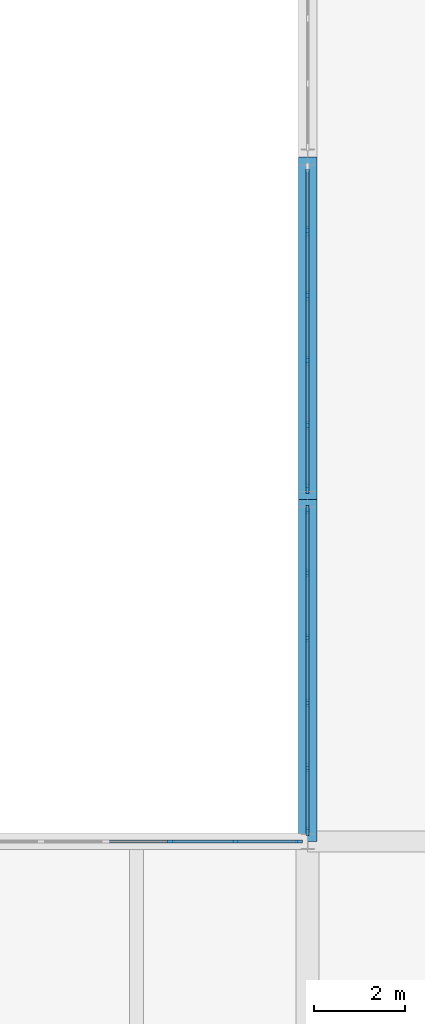
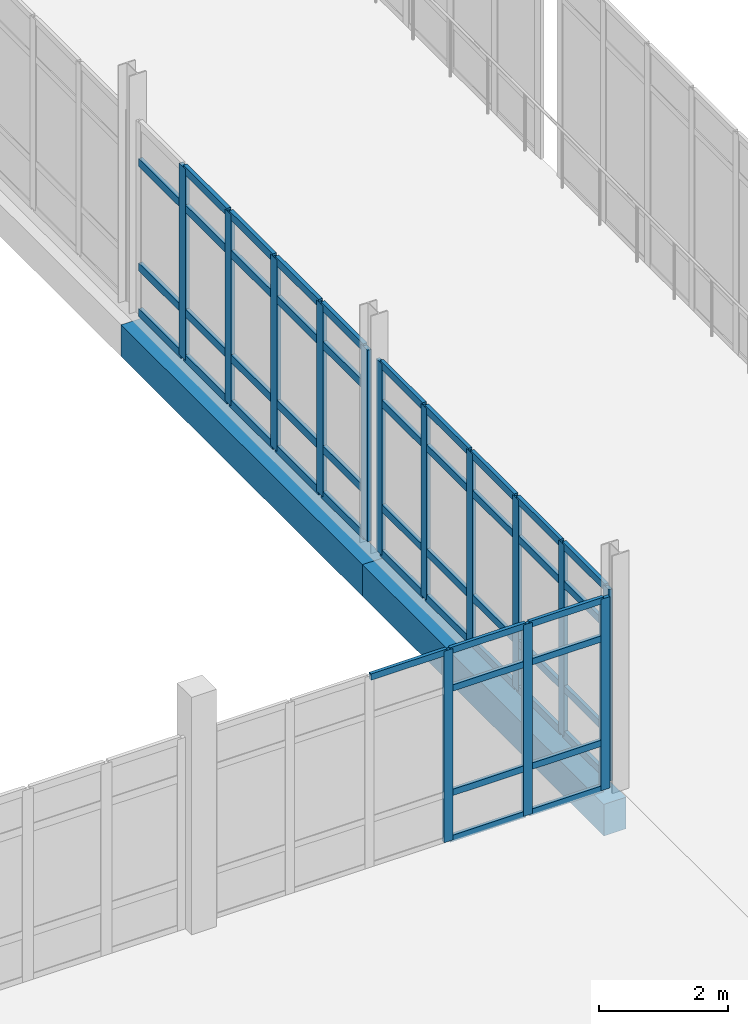
# One storey, part 23 of 128: 62 members, 2 beams, 3 elements without a shape of their own.
"""IFC4 building model written with IfcOpenShell, lengths in metres."""

from ifc_helpers import new_model, si_unit, direction, frame, origin, origin_2d, place, context, subcontext, project, spatial, rectangle, extrude, material, layer, layer_set, material_profile, profile_set, type_object, element, aggregate, save


model = new_model("IFC4")

# Units and contexts
model_context = context("Model", 3, precision=1e-05, world=origin(), true_north=direction((0.0, 1.0)))
body_context = subcontext(model_context, "Body", "Model", "MODEL_VIEW")
ifc_project = project(units=[si_unit("LENGTHUNIT", "METRE"), si_unit("AREAUNIT", "SQUARE_METRE"), si_unit("VOLUMEUNIT", "CUBIC_METRE"), si_unit("PLANEANGLEUNIT", "RADIAN"), si_unit("MASSUNIT", "GRAM", prefix="KILO")], contexts=[model_context])

# Site, building, storey
site_placement = place(None, origin())
site = spatial("IfcSite", under=ifc_project, at=site_placement, CompositionType="ELEMENT")
building_placement = place(site_placement, origin())
building = spatial("IfcBuilding", under=site, at=building_placement, Name="Dalvernix Boulevard General Hospital", CompositionType="ELEMENT")
storey_placement = place(building_placement, frame((0.0, 0.0, 4.800048828125)))
storey = spatial("IfcBuildingStorey", under=building, at=storey_placement, Name="L01", CompositionType="ELEMENT", Elevation=4.800048828125)

# Beams
ifc_material_1 = material(Name="Concrete C35/45", Category="concrete")
ifc_material_profile_1 = material_profile(ifc_material_1, rectangle(XDim=0.39990234375, YDim=0.60009765625, at=origin_2d()), Name="RCB 400x600")
ifc_profile_set_1 = profile_set([ifc_material_profile_1], Name="Concrete C35/45")
beam_type = type_object("IfcBeamType", Name="BM-SB-02-E", PredefinedType="SPANDREL", material=ifc_profile_set_1)
for number, where, z_axis, x_axis, name in (
    (1, (60.0, 31.5, -0.60009765625), (0.0, 1.0, 0.0), (-1.0, 0.0, 0.0), "L01 N-S girder 9:E-F"),
    (2, (60.0, 39.0, -0.60009765625), (0.0, 1.0, 0.0), (-1.0, 0.0, 0.0), "L01 N-S girder 9:F-G"),
):
    element("IfcBeam", number, at=place(storey_placement, frame(where, z_axis=z_axis, x_axis=x_axis)), inside=storey, type_object=beam_type, Name=name, PredefinedType="SPANDREL", context=body_context, shape_type="SweptSolid", body=[
        extrude(rectangle(XDim=0.39990234375, YDim=0.60009765625, at=origin_2d()), origin(), (0.0, 0.0, 1.0), 7.5),
    ])

# Curtain wall, members
ifc_material_2 = material(Name="Thermally broken aluminium and solar-control glass curtain wall", Category="aluminium")
ifc_layer_1 = layer(ifc_material_2, 0.159912109375)
ifc_layer_set_1 = layer_set([ifc_layer_1], Name="Thermally broken aluminium and solar-control glass curtain wall (CW-CW-A-71x36)")
curtain_wall_type_1 = type_object("IfcCurtainWallType", Name="CW-CW-A-71x36", PredefinedType="USERDEFINED", material=ifc_layer_set_1)
curtain_wall_1_placement = place(storey_placement, origin())
curtain_wall_1 = element("IfcCurtainWall", 3, at=curtain_wall_1_placement, inside=storey, type_object=curtain_wall_type_1, Name="L01 curtain wall CW-A-71x36 7-4", ObjectType="GLAZED FACADE", PredefinedType="USERDEFINED")
ifc_material_3 = material(Name="Aluminium EN AW-6060", Category="aluminium")
ifc_material_profile_2 = material_profile(ifc_material_3, rectangle(XDim=0.06005859375, YDim=0.159912109375, at=origin_2d()), Name="ALU MULL 60x160")
ifc_profile_set_2 = profile_set([ifc_material_profile_2], Name="Aluminium EN AW-6060")
member_type_1 = type_object("IfcMemberType", Name="MEM-CW-M1", PredefinedType="MULLION", material=ifc_profile_set_2)
member_1_placement = place(storey_placement, frame((56.998046875, 31.5, 0.0), z_axis=(0.0, 0.0, 1.0), x_axis=(0.0, 1.0, 0.0)))
member_1 = element("IfcMember", 4, at=member_1_placement, type_object=member_type_1, Name="CW-A-71x36 mullion 4", PredefinedType="MULLION", context=body_context, shape_type="SweptSolid", body=[
    extrude(rectangle(XDim=0.06005859375, YDim=0.159912109375, at=origin_2d()), origin(), (0.0, 0.0, 1.0), 3.6298828125),
])
member_2_placement = place(storey_placement, frame((58.4189453125, 31.5, 0.0), z_axis=(0.0, 0.0, 1.0), x_axis=(0.0, 1.0, 0.0)))
member_2 = element("IfcMember", 5, at=member_2_placement, type_object=member_type_1, Name="CW-A-71x36 mullion 5", PredefinedType="MULLION", context=body_context, shape_type="SweptSolid", body=[
    extrude(rectangle(XDim=0.06005859375, YDim=0.159912109375, at=origin_2d()), origin(), (0.0, 0.0, 1.0), 3.6298828125),
])
member_3_placement = place(storey_placement, frame((59.81005859375, 31.5, 0.0), z_axis=(0.0, 0.0, 1.0), x_axis=(0.0, 1.0, 0.0)))
member_3 = element("IfcMember", 6, at=member_3_placement, type_object=member_type_1, Name="CW-A-71x36 mullion 6", PredefinedType="MULLION", context=body_context, shape_type="SweptSolid", body=[
    extrude(rectangle(XDim=0.06005859375, YDim=0.159912109375, at=origin_2d()), origin(), (0.0, 0.0, 1.0), 3.6298828125),
])

ifc_layer_2 = layer(ifc_material_2, 0.179931640625)
ifc_layer_set_2 = layer_set([ifc_layer_2], Name="Thermally broken aluminium and solar-control glass curtain wall (CW-CW-B-71x36)")
curtain_wall_type_2 = type_object("IfcCurtainWallType", Name="CW-CW-B-71x36", PredefinedType="USERDEFINED", material=ifc_layer_set_2)
curtain_wall_2_placement = place(storey_placement, origin())
curtain_wall_2 = element("IfcCurtainWall", 7, at=curtain_wall_2_placement, inside=storey, type_object=curtain_wall_type_2, Name="L01 curtain wall CW-B-71x36 8-4", ObjectType="GLAZED FACADE", PredefinedType="USERDEFINED")
ifc_material_profile_3 = material_profile(ifc_material_3, rectangle(XDim=0.06494140625, YDim=0.179931640625, at=origin_2d()), Name="ALU MULL 65x180")
ifc_profile_set_3 = profile_set([ifc_material_profile_3], Name="Aluminium EN AW-6060")
member_type_2 = type_object("IfcMemberType", Name="MEM-CW-M2", PredefinedType="MULLION", material=ifc_profile_set_3)
member_4_placement = place(storey_placement, frame((60.0, 31.722412109375, 0.0), z_axis=(0.0, 0.0, 1.0), x_axis=(-1.0, 0.0, 0.0)))
member_4 = element("IfcMember", 8, at=member_4_placement, type_object=member_type_2, Name="CW-B-71x36 mullion 1", PredefinedType="MULLION", context=body_context, shape_type="SweptSolid", body=[
    extrude(rectangle(XDim=0.06494140625, YDim=0.179931640625, at=origin_2d()), origin(), (0.0, 0.0, 1.0), 3.6298828125),
])
member_5_placement = place(storey_placement, frame((60.0, 33.114013671875, 0.0), z_axis=(0.0, 0.0, 1.0), x_axis=(-1.0, 0.0, 0.0)))
member_5 = element("IfcMember", 9, at=member_5_placement, type_object=member_type_2, Name="CW-B-71x36 mullion 2", PredefinedType="MULLION", context=body_context, shape_type="SweptSolid", body=[
    extrude(rectangle(XDim=0.06494140625, YDim=0.179931640625, at=origin_2d()), origin(), (0.0, 0.0, 1.0), 3.6298828125),
])
member_6_placement = place(storey_placement, frame((60.0, 34.5380859375, 0.0), z_axis=(0.0, 0.0, 1.0), x_axis=(-1.0, 0.0, 0.0)))
member_6 = element("IfcMember", 10, at=member_6_placement, type_object=member_type_2, Name="CW-B-71x36 mullion 3", PredefinedType="MULLION", context=body_context, shape_type="SweptSolid", body=[
    extrude(rectangle(XDim=0.06494140625, YDim=0.179931640625, at=origin_2d()), origin(), (0.0, 0.0, 1.0), 3.6298828125),
])
member_7_placement = place(storey_placement, frame((60.0, 35.9619140625, 0.0), z_axis=(0.0, 0.0, 1.0), x_axis=(-1.0, 0.0, 0.0)))
member_7 = element("IfcMember", 11, at=member_7_placement, type_object=member_type_2, Name="CW-B-71x36 mullion 4", PredefinedType="MULLION", context=body_context, shape_type="SweptSolid", body=[
    extrude(rectangle(XDim=0.06494140625, YDim=0.179931640625, at=origin_2d()), origin(), (0.0, 0.0, 1.0), 3.6298828125),
])
member_8_placement = place(storey_placement, frame((60.0, 37.385986328125, 0.0), z_axis=(0.0, 0.0, 1.0), x_axis=(-1.0, 0.0, 0.0)))
member_8 = element("IfcMember", 12, at=member_8_placement, type_object=member_type_2, Name="CW-B-71x36 mullion 5", PredefinedType="MULLION", context=body_context, shape_type="SweptSolid", body=[
    extrude(rectangle(XDim=0.06494140625, YDim=0.179931640625, at=origin_2d()), origin(), (0.0, 0.0, 1.0), 3.6298828125),
])
member_9_placement = place(storey_placement, frame((60.0, 38.777587890625, 0.0), z_axis=(0.0, 0.0, 1.0), x_axis=(-1.0, 0.0, 0.0)))
member_9 = element("IfcMember", 13, at=member_9_placement, type_object=member_type_2, Name="CW-B-71x36 mullion 6", PredefinedType="MULLION", context=body_context, shape_type="SweptSolid", body=[
    extrude(rectangle(XDim=0.06494140625, YDim=0.179931640625, at=origin_2d()), origin(), (0.0, 0.0, 1.0), 3.6298828125),
])

ifc_layer_3 = layer(ifc_material_2, 0.199951171875)
ifc_layer_set_3 = layer_set([ifc_layer_3], Name="Thermally broken aluminium and solar-control glass curtain wall (CW-CW-C-71x36)")
curtain_wall_type_3 = type_object("IfcCurtainWallType", Name="CW-CW-C-71x36", PredefinedType="USERDEFINED", material=ifc_layer_set_3)
curtain_wall_3_placement = place(storey_placement, origin())
curtain_wall_3 = element("IfcCurtainWall", 14, at=curtain_wall_3_placement, inside=storey, type_object=curtain_wall_type_3, Name="L01 curtain wall CW-C-71x36 8-5", ObjectType="GLAZED FACADE", PredefinedType="USERDEFINED")
ifc_material_profile_4 = material_profile(ifc_material_3, rectangle(XDim=0.070068359375, YDim=0.199951171875, at=origin_2d()), Name="ALU MULL 70x200")
ifc_profile_set_4 = profile_set([ifc_material_profile_4], Name="Aluminium EN AW-6060")
member_type_3 = type_object("IfcMemberType", Name="MEM-CW-M3", PredefinedType="MULLION", material=ifc_profile_set_4)
member_10_placement = place(storey_placement, frame((60.0, 39.22509765625, 0.0), z_axis=(0.0, 0.0, 1.0), x_axis=(-1.0, 0.0, 0.0)))
member_10 = element("IfcMember", 15, at=member_10_placement, type_object=member_type_3, Name="CW-C-71x36 mullion 1", PredefinedType="MULLION", context=body_context, shape_type="SweptSolid", body=[
    extrude(rectangle(XDim=0.070068359375, YDim=0.199951171875, at=origin_2d()), origin(), (0.0, 0.0, 1.0), 3.6298828125),
])
member_11_placement = place(storey_placement, frame((60.0, 40.614013671875, 0.0), z_axis=(0.0, 0.0, 1.0), x_axis=(-1.0, 0.0, 0.0)))
member_11 = element("IfcMember", 16, at=member_11_placement, type_object=member_type_3, Name="CW-C-71x36 mullion 2", PredefinedType="MULLION", context=body_context, shape_type="SweptSolid", body=[
    extrude(rectangle(XDim=0.070068359375, YDim=0.199951171875, at=origin_2d()), origin(), (0.0, 0.0, 1.0), 3.6298828125),
])
member_12_placement = place(storey_placement, frame((60.0, 42.0380859375, 0.0), z_axis=(0.0, 0.0, 1.0), x_axis=(-1.0, 0.0, 0.0)))
member_12 = element("IfcMember", 17, at=member_12_placement, type_object=member_type_3, Name="CW-C-71x36 mullion 3", PredefinedType="MULLION", context=body_context, shape_type="SweptSolid", body=[
    extrude(rectangle(XDim=0.070068359375, YDim=0.199951171875, at=origin_2d()), origin(), (0.0, 0.0, 1.0), 3.6298828125),
])
member_13_placement = place(storey_placement, frame((60.0, 43.4619140625, 0.0), z_axis=(0.0, 0.0, 1.0), x_axis=(-1.0, 0.0, 0.0)))
member_13 = element("IfcMember", 18, at=member_13_placement, type_object=member_type_3, Name="CW-C-71x36 mullion 4", PredefinedType="MULLION", context=body_context, shape_type="SweptSolid", body=[
    extrude(rectangle(XDim=0.070068359375, YDim=0.199951171875, at=origin_2d()), origin(), (0.0, 0.0, 1.0), 3.6298828125),
])
member_14_placement = place(storey_placement, frame((60.0, 44.885986328125, 0.0), z_axis=(0.0, 0.0, 1.0), x_axis=(-1.0, 0.0, 0.0)))
member_14 = element("IfcMember", 19, at=member_14_placement, type_object=member_type_3, Name="CW-C-71x36 mullion 5", PredefinedType="MULLION", context=body_context, shape_type="SweptSolid", body=[
    extrude(rectangle(XDim=0.070068359375, YDim=0.199951171875, at=origin_2d()), origin(), (0.0, 0.0, 1.0), 3.6298828125),
])

# Member
ifc_material_profile_5 = material_profile(ifc_material_3, rectangle(XDim=0.06005859375, YDim=0.1201171875, at=origin_2d()), Name="ALU TRAN 60x120")
ifc_profile_set_5 = profile_set([ifc_material_profile_5], Name="Aluminium EN AW-6060")
member_type_4 = type_object("IfcMemberType", Name="MEM-CW-T1", PredefinedType="USERDEFINED", material=ifc_profile_set_5)
member_15_placement = place(storey_placement, frame((55.60693359375, 31.5, 3.599853515625), z_axis=(1.0, 0.0, 0.0), x_axis=(0.0, 1.0, 0.0)))
member_15 = element("IfcMember", 20, at=member_15_placement, type_object=member_type_4, Name="CW-A-71x36 transom 3.4", ObjectType="TRANSOM", PredefinedType="USERDEFINED", context=body_context, shape_type="SweptSolid", body=[
    extrude(rectangle(XDim=0.06005859375, YDim=0.1201171875, at=origin_2d()), origin(), (0.0, 0.0, 1.0), 1.361083984375),
])

member_16_placement = place(storey_placement, frame((57.028076171875, 31.5, 0.030029296875), z_axis=(1.0, 0.0, 0.0), x_axis=(0.0, 1.0, 0.0)))
member_16 = element("IfcMember", 21, at=member_16_placement, type_object=member_type_4, Name="CW-A-71x36 transom 4.1", ObjectType="TRANSOM", PredefinedType="USERDEFINED", context=body_context, shape_type="SweptSolid", body=[
    extrude(rectangle(XDim=0.06005859375, YDim=0.1201171875, at=origin_2d()), origin(), (0.0, 0.0, 1.0), 1.36083984375),
])

member_17_placement = place(storey_placement, frame((57.028076171875, 31.5, 0.89990234375), z_axis=(1.0, 0.0, 0.0), x_axis=(0.0, 1.0, 0.0)))
member_17 = element("IfcMember", 22, at=member_17_placement, type_object=member_type_4, Name="CW-A-71x36 transom 4.2", ObjectType="TRANSOM", PredefinedType="USERDEFINED", context=body_context, shape_type="SweptSolid", body=[
    extrude(rectangle(XDim=0.06005859375, YDim=0.1201171875, at=origin_2d()), origin(), (0.0, 0.0, 1.0), 1.36083984375),
])

member_18_placement = place(storey_placement, frame((57.028076171875, 31.5, 2.8798828125), z_axis=(1.0, 0.0, 0.0), x_axis=(0.0, 1.0, 0.0)))
member_18 = element("IfcMember", 23, at=member_18_placement, type_object=member_type_4, Name="CW-A-71x36 transom 4.3", ObjectType="TRANSOM", PredefinedType="USERDEFINED", context=body_context, shape_type="SweptSolid", body=[
    extrude(rectangle(XDim=0.06005859375, YDim=0.1201171875, at=origin_2d()), origin(), (0.0, 0.0, 1.0), 1.36083984375),
])

member_19_placement = place(storey_placement, frame((57.028076171875, 31.5, 3.599853515625), z_axis=(1.0, 0.0, 0.0), x_axis=(0.0, 1.0, 0.0)))
member_19 = element("IfcMember", 24, at=member_19_placement, type_object=member_type_4, Name="CW-A-71x36 transom 4.4", ObjectType="TRANSOM", PredefinedType="USERDEFINED", context=body_context, shape_type="SweptSolid", body=[
    extrude(rectangle(XDim=0.06005859375, YDim=0.1201171875, at=origin_2d()), origin(), (0.0, 0.0, 1.0), 1.36083984375),
])

member_20_placement = place(storey_placement, frame((58.448974609375, 31.5, 0.030029296875), z_axis=(1.0, 0.0, 0.0), x_axis=(0.0, 1.0, 0.0)))
member_20 = element("IfcMember", 25, at=member_20_placement, type_object=member_type_4, Name="CW-A-71x36 transom 5.1", ObjectType="TRANSOM", PredefinedType="USERDEFINED", context=body_context, shape_type="SweptSolid", body=[
    extrude(rectangle(XDim=0.06005859375, YDim=0.1201171875, at=origin_2d()), origin(), (0.0, 0.0, 1.0), 1.3310546875),
])

member_21_placement = place(storey_placement, frame((58.448974609375, 31.5, 0.89990234375), z_axis=(1.0, 0.0, 0.0), x_axis=(0.0, 1.0, 0.0)))
member_21 = element("IfcMember", 26, at=member_21_placement, type_object=member_type_4, Name="CW-A-71x36 transom 5.2", ObjectType="TRANSOM", PredefinedType="USERDEFINED", context=body_context, shape_type="SweptSolid", body=[
    extrude(rectangle(XDim=0.06005859375, YDim=0.1201171875, at=origin_2d()), origin(), (0.0, 0.0, 1.0), 1.3310546875),
])

member_22_placement = place(storey_placement, frame((58.448974609375, 31.5, 2.8798828125), z_axis=(1.0, 0.0, 0.0), x_axis=(0.0, 1.0, 0.0)))
member_22 = element("IfcMember", 27, at=member_22_placement, type_object=member_type_4, Name="CW-A-71x36 transom 5.3", ObjectType="TRANSOM", PredefinedType="USERDEFINED", context=body_context, shape_type="SweptSolid", body=[
    extrude(rectangle(XDim=0.06005859375, YDim=0.1201171875, at=origin_2d()), origin(), (0.0, 0.0, 1.0), 1.3310546875),
])

member_23_placement = place(storey_placement, frame((58.448974609375, 31.5, 3.599853515625), z_axis=(1.0, 0.0, 0.0), x_axis=(0.0, 1.0, 0.0)))
member_23 = element("IfcMember", 28, at=member_23_placement, type_object=member_type_4, Name="CW-A-71x36 transom 5.4", ObjectType="TRANSOM", PredefinedType="USERDEFINED", context=body_context, shape_type="SweptSolid", body=[
    extrude(rectangle(XDim=0.06005859375, YDim=0.1201171875, at=origin_2d()), origin(), (0.0, 0.0, 1.0), 1.3310546875),
])

aggregate(curtain_wall_1, [member_1, member_2, member_3, member_15, member_16, member_17, member_18, member_19, member_20, member_21, member_22, member_23])

ifc_material_profile_6 = material_profile(ifc_material_3, rectangle(XDim=0.06494140625, YDim=0.139892578125, at=origin_2d()), Name="ALU TRAN 65x140")
ifc_profile_set_6 = profile_set([ifc_material_profile_6], Name="Aluminium EN AW-6060")
member_type_5 = type_object("IfcMemberType", Name="MEM-CW-T2", PredefinedType="USERDEFINED", material=ifc_profile_set_6)
member_24_placement = place(storey_placement, frame((60.0, 31.7548828125, 0.032470703125), z_axis=(0.0, 1.0, 0.0), x_axis=(-1.0, 0.0, 0.0)))
member_24 = element("IfcMember", 29, at=member_24_placement, type_object=member_type_5, Name="CW-B-71x36 transom 1.1", ObjectType="TRANSOM", PredefinedType="USERDEFINED", context=body_context, shape_type="SweptSolid", body=[
    extrude(rectangle(XDim=0.06494140625, YDim=0.139892578125, at=origin_2d()), origin(), (0.0, 0.0, 1.0), 1.32666015625),
])

member_25_placement = place(storey_placement, frame((60.0, 31.7548828125, 0.89990234375), z_axis=(0.0, 1.0, 0.0), x_axis=(-1.0, 0.0, 0.0)))
member_25 = element("IfcMember", 30, at=member_25_placement, type_object=member_type_5, Name="CW-B-71x36 transom 1.2", ObjectType="TRANSOM", PredefinedType="USERDEFINED", context=body_context, shape_type="SweptSolid", body=[
    extrude(rectangle(XDim=0.06494140625, YDim=0.139892578125, at=origin_2d()), origin(), (0.0, 0.0, 1.0), 1.32666015625),
])

member_26_placement = place(storey_placement, frame((60.0, 31.7548828125, 2.8798828125), z_axis=(0.0, 1.0, 0.0), x_axis=(-1.0, 0.0, 0.0)))
member_26 = element("IfcMember", 31, at=member_26_placement, type_object=member_type_5, Name="CW-B-71x36 transom 1.3", ObjectType="TRANSOM", PredefinedType="USERDEFINED", context=body_context, shape_type="SweptSolid", body=[
    extrude(rectangle(XDim=0.06494140625, YDim=0.139892578125, at=origin_2d()), origin(), (0.0, 0.0, 1.0), 1.32666015625),
])

member_27_placement = place(storey_placement, frame((60.0, 31.7548828125, 3.597412109375), z_axis=(0.0, 1.0, 0.0), x_axis=(-1.0, 0.0, 0.0)))
member_27 = element("IfcMember", 32, at=member_27_placement, type_object=member_type_5, Name="CW-B-71x36 transom 1.4", ObjectType="TRANSOM", PredefinedType="USERDEFINED", context=body_context, shape_type="SweptSolid", body=[
    extrude(rectangle(XDim=0.06494140625, YDim=0.139892578125, at=origin_2d()), origin(), (0.0, 0.0, 1.0), 1.32666015625),
])

member_28_placement = place(storey_placement, frame((60.0, 33.146484375, 0.032470703125), z_axis=(0.0, 1.0, 0.0), x_axis=(-1.0, 0.0, 0.0)))
member_28 = element("IfcMember", 33, at=member_28_placement, type_object=member_type_5, Name="CW-B-71x36 transom 2.1", ObjectType="TRANSOM", PredefinedType="USERDEFINED", context=body_context, shape_type="SweptSolid", body=[
    extrude(rectangle(XDim=0.06494140625, YDim=0.139892578125, at=origin_2d()), origin(), (0.0, 0.0, 1.0), 1.359130859375),
])

member_29_placement = place(storey_placement, frame((60.0, 33.146484375, 0.89990234375), z_axis=(0.0, 1.0, 0.0), x_axis=(-1.0, 0.0, 0.0)))
member_29 = element("IfcMember", 34, at=member_29_placement, type_object=member_type_5, Name="CW-B-71x36 transom 2.2", ObjectType="TRANSOM", PredefinedType="USERDEFINED", context=body_context, shape_type="SweptSolid", body=[
    extrude(rectangle(XDim=0.06494140625, YDim=0.139892578125, at=origin_2d()), origin(), (0.0, 0.0, 1.0), 1.359130859375),
])

member_30_placement = place(storey_placement, frame((60.0, 33.146484375, 2.8798828125), z_axis=(0.0, 1.0, 0.0), x_axis=(-1.0, 0.0, 0.0)))
member_30 = element("IfcMember", 35, at=member_30_placement, type_object=member_type_5, Name="CW-B-71x36 transom 2.3", ObjectType="TRANSOM", PredefinedType="USERDEFINED", context=body_context, shape_type="SweptSolid", body=[
    extrude(rectangle(XDim=0.06494140625, YDim=0.139892578125, at=origin_2d()), origin(), (0.0, 0.0, 1.0), 1.359130859375),
])

member_31_placement = place(storey_placement, frame((60.0, 33.146484375, 3.597412109375), z_axis=(0.0, 1.0, 0.0), x_axis=(-1.0, 0.0, 0.0)))
member_31 = element("IfcMember", 36, at=member_31_placement, type_object=member_type_5, Name="CW-B-71x36 transom 2.4", ObjectType="TRANSOM", PredefinedType="USERDEFINED", context=body_context, shape_type="SweptSolid", body=[
    extrude(rectangle(XDim=0.06494140625, YDim=0.139892578125, at=origin_2d()), origin(), (0.0, 0.0, 1.0), 1.359130859375),
])

member_32_placement = place(storey_placement, frame((60.0, 34.570556640625, 0.032470703125), z_axis=(0.0, 1.0, 0.0), x_axis=(-1.0, 0.0, 0.0)))
member_32 = element("IfcMember", 37, at=member_32_placement, type_object=member_type_5, Name="CW-B-71x36 transom 3.1", ObjectType="TRANSOM", PredefinedType="USERDEFINED", context=body_context, shape_type="SweptSolid", body=[
    extrude(rectangle(XDim=0.06494140625, YDim=0.139892578125, at=origin_2d()), origin(), (0.0, 0.0, 1.0), 1.35888671875),
])

member_33_placement = place(storey_placement, frame((60.0, 34.570556640625, 0.89990234375), z_axis=(0.0, 1.0, 0.0), x_axis=(-1.0, 0.0, 0.0)))
member_33 = element("IfcMember", 38, at=member_33_placement, type_object=member_type_5, Name="CW-B-71x36 transom 3.2", ObjectType="TRANSOM", PredefinedType="USERDEFINED", context=body_context, shape_type="SweptSolid", body=[
    extrude(rectangle(XDim=0.06494140625, YDim=0.139892578125, at=origin_2d()), origin(), (0.0, 0.0, 1.0), 1.35888671875),
])

member_34_placement = place(storey_placement, frame((60.0, 34.570556640625, 2.8798828125), z_axis=(0.0, 1.0, 0.0), x_axis=(-1.0, 0.0, 0.0)))
member_34 = element("IfcMember", 39, at=member_34_placement, type_object=member_type_5, Name="CW-B-71x36 transom 3.3", ObjectType="TRANSOM", PredefinedType="USERDEFINED", context=body_context, shape_type="SweptSolid", body=[
    extrude(rectangle(XDim=0.06494140625, YDim=0.139892578125, at=origin_2d()), origin(), (0.0, 0.0, 1.0), 1.35888671875),
])

member_35_placement = place(storey_placement, frame((60.0, 34.570556640625, 3.597412109375), z_axis=(0.0, 1.0, 0.0), x_axis=(-1.0, 0.0, 0.0)))
member_35 = element("IfcMember", 40, at=member_35_placement, type_object=member_type_5, Name="CW-B-71x36 transom 3.4", ObjectType="TRANSOM", PredefinedType="USERDEFINED", context=body_context, shape_type="SweptSolid", body=[
    extrude(rectangle(XDim=0.06494140625, YDim=0.139892578125, at=origin_2d()), origin(), (0.0, 0.0, 1.0), 1.35888671875),
])

member_36_placement = place(storey_placement, frame((60.0, 35.994384765625, 0.032470703125), z_axis=(0.0, 1.0, 0.0), x_axis=(-1.0, 0.0, 0.0)))
member_36 = element("IfcMember", 41, at=member_36_placement, type_object=member_type_5, Name="CW-B-71x36 transom 4.1", ObjectType="TRANSOM", PredefinedType="USERDEFINED", context=body_context, shape_type="SweptSolid", body=[
    extrude(rectangle(XDim=0.06494140625, YDim=0.139892578125, at=origin_2d()), origin(), (0.0, 0.0, 1.0), 1.359130859375),
])

member_37_placement = place(storey_placement, frame((60.0, 35.994384765625, 0.89990234375), z_axis=(0.0, 1.0, 0.0), x_axis=(-1.0, 0.0, 0.0)))
member_37 = element("IfcMember", 42, at=member_37_placement, type_object=member_type_5, Name="CW-B-71x36 transom 4.2", ObjectType="TRANSOM", PredefinedType="USERDEFINED", context=body_context, shape_type="SweptSolid", body=[
    extrude(rectangle(XDim=0.06494140625, YDim=0.139892578125, at=origin_2d()), origin(), (0.0, 0.0, 1.0), 1.359130859375),
])

member_38_placement = place(storey_placement, frame((60.0, 35.994384765625, 2.8798828125), z_axis=(0.0, 1.0, 0.0), x_axis=(-1.0, 0.0, 0.0)))
member_38 = element("IfcMember", 43, at=member_38_placement, type_object=member_type_5, Name="CW-B-71x36 transom 4.3", ObjectType="TRANSOM", PredefinedType="USERDEFINED", context=body_context, shape_type="SweptSolid", body=[
    extrude(rectangle(XDim=0.06494140625, YDim=0.139892578125, at=origin_2d()), origin(), (0.0, 0.0, 1.0), 1.359130859375),
])

member_39_placement = place(storey_placement, frame((60.0, 35.994384765625, 3.597412109375), z_axis=(0.0, 1.0, 0.0), x_axis=(-1.0, 0.0, 0.0)))
member_39 = element("IfcMember", 44, at=member_39_placement, type_object=member_type_5, Name="CW-B-71x36 transom 4.4", ObjectType="TRANSOM", PredefinedType="USERDEFINED", context=body_context, shape_type="SweptSolid", body=[
    extrude(rectangle(XDim=0.06494140625, YDim=0.139892578125, at=origin_2d()), origin(), (0.0, 0.0, 1.0), 1.359130859375),
])

member_40_placement = place(storey_placement, frame((60.0, 37.41845703125, 0.032470703125), z_axis=(0.0, 1.0, 0.0), x_axis=(-1.0, 0.0, 0.0)))
member_40 = element("IfcMember", 45, at=member_40_placement, type_object=member_type_5, Name="CW-B-71x36 transom 5.1", ObjectType="TRANSOM", PredefinedType="USERDEFINED", context=body_context, shape_type="SweptSolid", body=[
    extrude(rectangle(XDim=0.06494140625, YDim=0.139892578125, at=origin_2d()), origin(), (0.0, 0.0, 1.0), 1.32666015625),
])

member_41_placement = place(storey_placement, frame((60.0, 37.41845703125, 0.89990234375), z_axis=(0.0, 1.0, 0.0), x_axis=(-1.0, 0.0, 0.0)))
member_41 = element("IfcMember", 46, at=member_41_placement, type_object=member_type_5, Name="CW-B-71x36 transom 5.2", ObjectType="TRANSOM", PredefinedType="USERDEFINED", context=body_context, shape_type="SweptSolid", body=[
    extrude(rectangle(XDim=0.06494140625, YDim=0.139892578125, at=origin_2d()), origin(), (0.0, 0.0, 1.0), 1.32666015625),
])

member_42_placement = place(storey_placement, frame((60.0, 37.41845703125, 2.8798828125), z_axis=(0.0, 1.0, 0.0), x_axis=(-1.0, 0.0, 0.0)))
member_42 = element("IfcMember", 47, at=member_42_placement, type_object=member_type_5, Name="CW-B-71x36 transom 5.3", ObjectType="TRANSOM", PredefinedType="USERDEFINED", context=body_context, shape_type="SweptSolid", body=[
    extrude(rectangle(XDim=0.06494140625, YDim=0.139892578125, at=origin_2d()), origin(), (0.0, 0.0, 1.0), 1.32666015625),
])

member_43_placement = place(storey_placement, frame((60.0, 37.41845703125, 3.597412109375), z_axis=(0.0, 1.0, 0.0), x_axis=(-1.0, 0.0, 0.0)))
member_43 = element("IfcMember", 48, at=member_43_placement, type_object=member_type_5, Name="CW-B-71x36 transom 5.4", ObjectType="TRANSOM", PredefinedType="USERDEFINED", context=body_context, shape_type="SweptSolid", body=[
    extrude(rectangle(XDim=0.06494140625, YDim=0.139892578125, at=origin_2d()), origin(), (0.0, 0.0, 1.0), 1.32666015625),
])

aggregate(curtain_wall_2, [member_4, member_5, member_6, member_7, member_8, member_9, member_24, member_25, member_26, member_27, member_28, member_29, member_30, member_31, member_32, member_33, member_34, member_35, member_36, member_37, member_38, member_39, member_40, member_41, member_42, member_43])

ifc_material_profile_7 = material_profile(ifc_material_3, rectangle(XDim=0.070068359375, YDim=0.14990234375, at=origin_2d()), Name="ALU TRAN 70x150")
ifc_profile_set_7 = profile_set([ifc_material_profile_7], Name="Aluminium EN AW-6060")
member_type_6 = type_object("IfcMemberType", Name="MEM-CW-T3", PredefinedType="USERDEFINED", material=ifc_profile_set_7)
member_44_placement = place(storey_placement, frame((60.0, 39.260009765625, 0.034912109375), z_axis=(0.0, 1.0, 0.0), x_axis=(-1.0, 0.0, 0.0)))
member_44 = element("IfcMember", 49, at=member_44_placement, type_object=member_type_6, Name="CW-C-71x36 transom 1.1", ObjectType="TRANSOM", PredefinedType="USERDEFINED", context=body_context, shape_type="SweptSolid", body=[
    extrude(rectangle(XDim=0.070068359375, YDim=0.14990234375, at=origin_2d()), origin(), (0.0, 0.0, 1.0), 1.319091796875),
])

member_45_placement = place(storey_placement, frame((60.0, 39.260009765625, 0.89990234375), z_axis=(0.0, 1.0, 0.0), x_axis=(-1.0, 0.0, 0.0)))
member_45 = element("IfcMember", 50, at=member_45_placement, type_object=member_type_6, Name="CW-C-71x36 transom 1.2", ObjectType="TRANSOM", PredefinedType="USERDEFINED", context=body_context, shape_type="SweptSolid", body=[
    extrude(rectangle(XDim=0.070068359375, YDim=0.14990234375, at=origin_2d()), origin(), (0.0, 0.0, 1.0), 1.319091796875),
])

member_46_placement = place(storey_placement, frame((60.0, 39.260009765625, 2.8798828125), z_axis=(0.0, 1.0, 0.0), x_axis=(-1.0, 0.0, 0.0)))
member_46 = element("IfcMember", 51, at=member_46_placement, type_object=member_type_6, Name="CW-C-71x36 transom 1.3", ObjectType="TRANSOM", PredefinedType="USERDEFINED", context=body_context, shape_type="SweptSolid", body=[
    extrude(rectangle(XDim=0.070068359375, YDim=0.14990234375, at=origin_2d()), origin(), (0.0, 0.0, 1.0), 1.319091796875),
])

member_47_placement = place(storey_placement, frame((60.0, 39.260009765625, 3.594970703125), z_axis=(0.0, 1.0, 0.0), x_axis=(-1.0, 0.0, 0.0)))
member_47 = element("IfcMember", 52, at=member_47_placement, type_object=member_type_6, Name="CW-C-71x36 transom 1.4", ObjectType="TRANSOM", PredefinedType="USERDEFINED", context=body_context, shape_type="SweptSolid", body=[
    extrude(rectangle(XDim=0.070068359375, YDim=0.14990234375, at=origin_2d()), origin(), (0.0, 0.0, 1.0), 1.319091796875),
])

member_48_placement = place(storey_placement, frame((60.0, 40.64892578125, 0.034912109375), z_axis=(0.0, 1.0, 0.0), x_axis=(-1.0, 0.0, 0.0)))
member_48 = element("IfcMember", 53, at=member_48_placement, type_object=member_type_6, Name="CW-C-71x36 transom 2.1", ObjectType="TRANSOM", PredefinedType="USERDEFINED", context=body_context, shape_type="SweptSolid", body=[
    extrude(rectangle(XDim=0.070068359375, YDim=0.14990234375, at=origin_2d()), origin(), (0.0, 0.0, 1.0), 1.35400390625),
])

member_49_placement = place(storey_placement, frame((60.0, 40.64892578125, 0.89990234375), z_axis=(0.0, 1.0, 0.0), x_axis=(-1.0, 0.0, 0.0)))
member_49 = element("IfcMember", 54, at=member_49_placement, type_object=member_type_6, Name="CW-C-71x36 transom 2.2", ObjectType="TRANSOM", PredefinedType="USERDEFINED", context=body_context, shape_type="SweptSolid", body=[
    extrude(rectangle(XDim=0.070068359375, YDim=0.14990234375, at=origin_2d()), origin(), (0.0, 0.0, 1.0), 1.35400390625),
])

member_50_placement = place(storey_placement, frame((60.0, 40.64892578125, 2.8798828125), z_axis=(0.0, 1.0, 0.0), x_axis=(-1.0, 0.0, 0.0)))
member_50 = element("IfcMember", 55, at=member_50_placement, type_object=member_type_6, Name="CW-C-71x36 transom 2.3", ObjectType="TRANSOM", PredefinedType="USERDEFINED", context=body_context, shape_type="SweptSolid", body=[
    extrude(rectangle(XDim=0.070068359375, YDim=0.14990234375, at=origin_2d()), origin(), (0.0, 0.0, 1.0), 1.35400390625),
])

member_51_placement = place(storey_placement, frame((60.0, 40.64892578125, 3.594970703125), z_axis=(0.0, 1.0, 0.0), x_axis=(-1.0, 0.0, 0.0)))
member_51 = element("IfcMember", 56, at=member_51_placement, type_object=member_type_6, Name="CW-C-71x36 transom 2.4", ObjectType="TRANSOM", PredefinedType="USERDEFINED", context=body_context, shape_type="SweptSolid", body=[
    extrude(rectangle(XDim=0.070068359375, YDim=0.14990234375, at=origin_2d()), origin(), (0.0, 0.0, 1.0), 1.35400390625),
])

member_52_placement = place(storey_placement, frame((60.0, 42.072998046875, 0.034912109375), z_axis=(0.0, 1.0, 0.0), x_axis=(-1.0, 0.0, 0.0)))
member_52 = element("IfcMember", 57, at=member_52_placement, type_object=member_type_6, Name="CW-C-71x36 transom 3.1", ObjectType="TRANSOM", PredefinedType="USERDEFINED", context=body_context, shape_type="SweptSolid", body=[
    extrude(rectangle(XDim=0.070068359375, YDim=0.14990234375, at=origin_2d()), origin(), (0.0, 0.0, 1.0), 1.35400390625),
])

member_53_placement = place(storey_placement, frame((60.0, 42.072998046875, 0.89990234375), z_axis=(0.0, 1.0, 0.0), x_axis=(-1.0, 0.0, 0.0)))
member_53 = element("IfcMember", 58, at=member_53_placement, type_object=member_type_6, Name="CW-C-71x36 transom 3.2", ObjectType="TRANSOM", PredefinedType="USERDEFINED", context=body_context, shape_type="SweptSolid", body=[
    extrude(rectangle(XDim=0.070068359375, YDim=0.14990234375, at=origin_2d()), origin(), (0.0, 0.0, 1.0), 1.35400390625),
])

member_54_placement = place(storey_placement, frame((60.0, 42.072998046875, 2.8798828125), z_axis=(0.0, 1.0, 0.0), x_axis=(-1.0, 0.0, 0.0)))
member_54 = element("IfcMember", 59, at=member_54_placement, type_object=member_type_6, Name="CW-C-71x36 transom 3.3", ObjectType="TRANSOM", PredefinedType="USERDEFINED", context=body_context, shape_type="SweptSolid", body=[
    extrude(rectangle(XDim=0.070068359375, YDim=0.14990234375, at=origin_2d()), origin(), (0.0, 0.0, 1.0), 1.35400390625),
])

member_55_placement = place(storey_placement, frame((60.0, 42.072998046875, 3.594970703125), z_axis=(0.0, 1.0, 0.0), x_axis=(-1.0, 0.0, 0.0)))
member_55 = element("IfcMember", 60, at=member_55_placement, type_object=member_type_6, Name="CW-C-71x36 transom 3.4", ObjectType="TRANSOM", PredefinedType="USERDEFINED", context=body_context, shape_type="SweptSolid", body=[
    extrude(rectangle(XDim=0.070068359375, YDim=0.14990234375, at=origin_2d()), origin(), (0.0, 0.0, 1.0), 1.35400390625),
])

member_56_placement = place(storey_placement, frame((60.0, 43.4970703125, 0.034912109375), z_axis=(0.0, 1.0, 0.0), x_axis=(-1.0, 0.0, 0.0)))
member_56 = element("IfcMember", 61, at=member_56_placement, type_object=member_type_6, Name="CW-C-71x36 transom 4.1", ObjectType="TRANSOM", PredefinedType="USERDEFINED", context=body_context, shape_type="SweptSolid", body=[
    extrude(rectangle(XDim=0.070068359375, YDim=0.14990234375, at=origin_2d()), origin(), (0.0, 0.0, 1.0), 1.35400390625),
])

member_57_placement = place(storey_placement, frame((60.0, 43.4970703125, 0.89990234375), z_axis=(0.0, 1.0, 0.0), x_axis=(-1.0, 0.0, 0.0)))
member_57 = element("IfcMember", 62, at=member_57_placement, type_object=member_type_6, Name="CW-C-71x36 transom 4.2", ObjectType="TRANSOM", PredefinedType="USERDEFINED", context=body_context, shape_type="SweptSolid", body=[
    extrude(rectangle(XDim=0.070068359375, YDim=0.14990234375, at=origin_2d()), origin(), (0.0, 0.0, 1.0), 1.35400390625),
])

member_58_placement = place(storey_placement, frame((60.0, 43.4970703125, 2.8798828125), z_axis=(0.0, 1.0, 0.0), x_axis=(-1.0, 0.0, 0.0)))
member_58 = element("IfcMember", 63, at=member_58_placement, type_object=member_type_6, Name="CW-C-71x36 transom 4.3", ObjectType="TRANSOM", PredefinedType="USERDEFINED", context=body_context, shape_type="SweptSolid", body=[
    extrude(rectangle(XDim=0.070068359375, YDim=0.14990234375, at=origin_2d()), origin(), (0.0, 0.0, 1.0), 1.35400390625),
])

member_59_placement = place(storey_placement, frame((60.0, 43.4970703125, 3.594970703125), z_axis=(0.0, 1.0, 0.0), x_axis=(-1.0, 0.0, 0.0)))
member_59 = element("IfcMember", 64, at=member_59_placement, type_object=member_type_6, Name="CW-C-71x36 transom 4.4", ObjectType="TRANSOM", PredefinedType="USERDEFINED", context=body_context, shape_type="SweptSolid", body=[
    extrude(rectangle(XDim=0.070068359375, YDim=0.14990234375, at=origin_2d()), origin(), (0.0, 0.0, 1.0), 1.35400390625),
])

member_60_placement = place(storey_placement, frame((60.0, 44.9208984375, 0.034912109375), z_axis=(0.0, 1.0, 0.0), x_axis=(-1.0, 0.0, 0.0)))
member_60 = element("IfcMember", 65, at=member_60_placement, type_object=member_type_6, Name="CW-C-71x36 transom 5.1", ObjectType="TRANSOM", PredefinedType="USERDEFINED", context=body_context, shape_type="SweptSolid", body=[
    extrude(rectangle(XDim=0.070068359375, YDim=0.14990234375, at=origin_2d()), origin(), (0.0, 0.0, 1.0), 1.319091796875),
])

member_61_placement = place(storey_placement, frame((60.0, 44.9208984375, 0.89990234375), z_axis=(0.0, 1.0, 0.0), x_axis=(-1.0, 0.0, 0.0)))
member_61 = element("IfcMember", 66, at=member_61_placement, type_object=member_type_6, Name="CW-C-71x36 transom 5.2", ObjectType="TRANSOM", PredefinedType="USERDEFINED", context=body_context, shape_type="SweptSolid", body=[
    extrude(rectangle(XDim=0.070068359375, YDim=0.14990234375, at=origin_2d()), origin(), (0.0, 0.0, 1.0), 1.319091796875),
])

member_62_placement = place(storey_placement, frame((60.0, 44.9208984375, 2.8798828125), z_axis=(0.0, 1.0, 0.0), x_axis=(-1.0, 0.0, 0.0)))
member_62 = element("IfcMember", 67, at=member_62_placement, type_object=member_type_6, Name="CW-C-71x36 transom 5.3", ObjectType="TRANSOM", PredefinedType="USERDEFINED", context=body_context, shape_type="SweptSolid", body=[
    extrude(rectangle(XDim=0.070068359375, YDim=0.14990234375, at=origin_2d()), origin(), (0.0, 0.0, 1.0), 1.319091796875),
])

aggregate(curtain_wall_3, [member_10, member_11, member_12, member_13, member_14, member_44, member_45, member_46, member_47, member_48, member_49, member_50, member_51, member_52, member_53, member_54, member_55, member_56, member_57, member_58, member_59, member_60, member_61, member_62])

save(model, "model.ifc")
